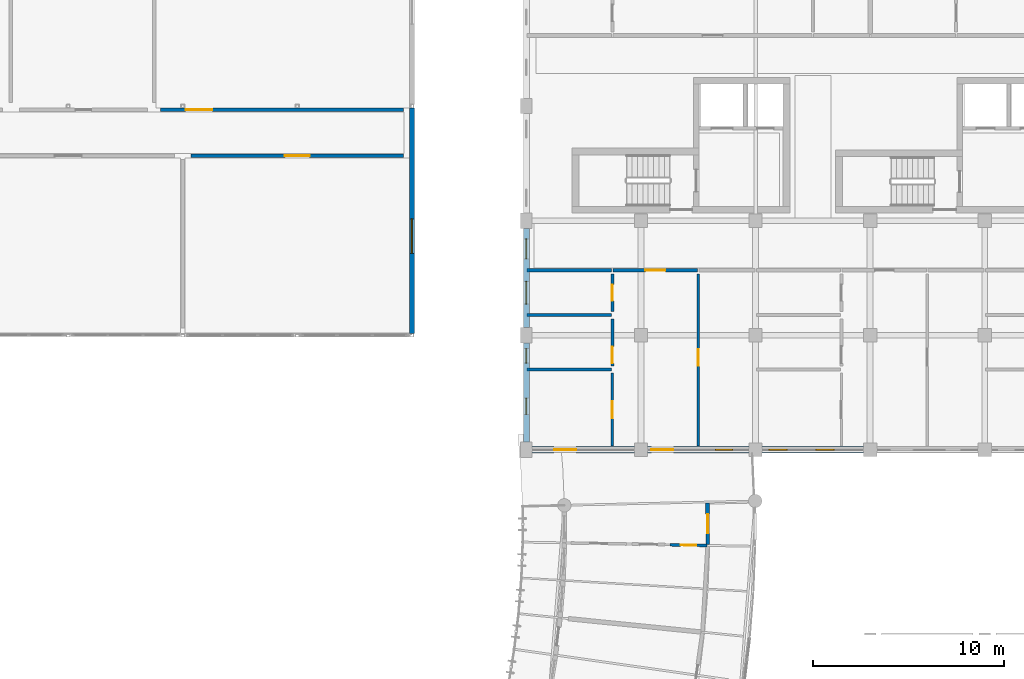
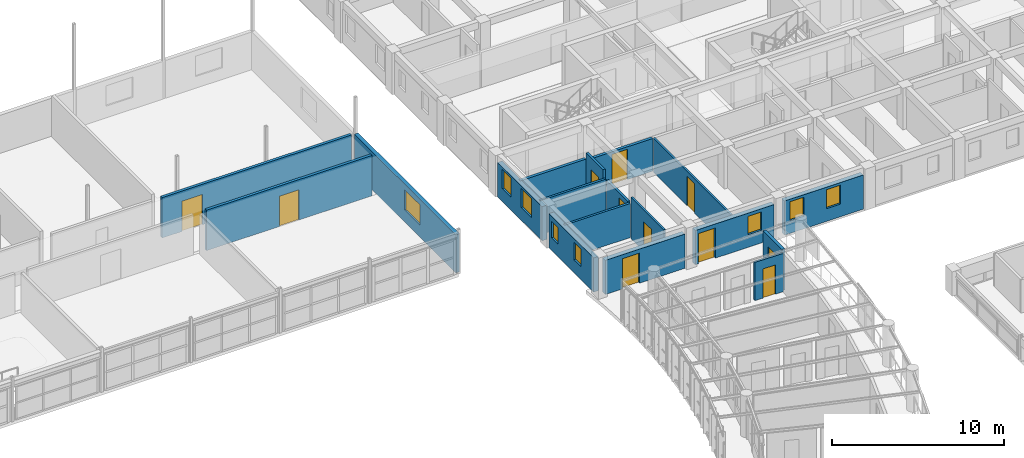
# One storey, part 100 of 137: 18 walls, 11 doors, 8 windows, 19 openings.
"""IFC4 building model written with IfcOpenShell, lengths in metres."""

from ifc_helpers import new_model, si_unit, direction, frame, frame_2d, origin, place, context, subcontext, project, spatial, rectangle, extrude, material, layer, layer_set, type_object, element, fill, save


model = new_model("IFC4")

# Units and contexts
model_context = context("Model", 3, precision=1e-05, world=origin(), true_north=direction((0.0, 1.0)))
body_context = subcontext(model_context, "Body", "Model", "MODEL_VIEW")
ifc_project = project(units=[si_unit("LENGTHUNIT", "METRE"), si_unit("AREAUNIT", "SQUARE_METRE"), si_unit("VOLUMEUNIT", "CUBIC_METRE"), si_unit("PLANEANGLEUNIT", "RADIAN"), si_unit("MASSUNIT", "GRAM", prefix="KILO"), si_unit("POWERUNIT", "WATT"), si_unit("THERMODYNAMICTEMPERATUREUNIT", "KELVIN")], contexts=[model_context])

# Site, building, storey
site_placement = place(None, origin())
site = spatial("IfcSite", under=ifc_project, at=site_placement, CompositionType="ELEMENT")
building_placement = place(site_placement, origin())
building = spatial("IfcBuilding", under=site, at=building_placement, Name="Ruvembo Vaulted Housing Court", CompositionType="ELEMENT")
storey_placement = place(building_placement, frame((0.0, 0.0, 4.5)))
storey = spatial("IfcBuildingStorey", under=building, at=storey_placement, Name="L01", CompositionType="ELEMENT", Elevation=4.5)

# Wall, opening, door
ifc_material_1 = material(Name="Concrete Blockwork 190", Category="masonry")
ifc_layer_1 = layer(ifc_material_1, 0.18994140625, Name="Concrete Blockwork 190")
ifc_layer_set_1 = layer_set([ifc_layer_1], Name="Concrete Blockwork 190")
wall_type_1 = type_object("IfcWallType", Name="WL-CORR-190", PredefinedType="SOLIDWALL", material=ifc_layer_set_1)
wall_1_placement = place(storey_placement, frame((30.43994140625, 93.39990234375, 0.0), z_axis=(0.0, 0.0, 1.0), x_axis=(1.0, 0.0, 0.0)))
wall_1 = element("IfcWall", 1, at=wall_1_placement, inside=storey, type_object=wall_type_1, Name="L01 Parent Cooperative Workshop WL-INT-L01-00164", PredefinedType="SOLIDWALL", context=body_context, shape_type="SweptSolid", body=[
    extrude(rectangle(XDim=11.1201171875, YDim=0.18994140625, at=frame_2d((5.56005859375, 0.0))), origin(), (0.0, 0.0, 1.0), 2.8720703125),
])
opening_1_placement = place(wall_1_placement, frame((4.909912109375, 0.0, 0.0)))
opening_1 = element("IfcOpeningElement", 2, at=opening_1_placement, cuts=wall_1, Name="Opening CD2", PredefinedType="OPENING", context=body_context, shape_type="SweptSolid", body=[
    extrude(rectangle(XDim=1.300048828125, YDim=2.14990234375, at=frame_2d((0.64990234375, 1.074951171875))), frame((0.0, 0.10498046875, 0.0), z_axis=(0.0, -1.0, 0.0), x_axis=(1.0, 0.0, 0.0)), (0.0, 0.0, 1.0), 0.2099609375),
])
ifc_material_2 = material(Name="FSC Hardwood and Engineered Timber", Category="wood")
door_type_1 = type_object("IfcDoorType", Name="DR-CIVIC-1300x2150", OperationType="NOTDEFINED", PredefinedType="DOOR", material=ifc_material_2)
door_1_placement = place(opening_1_placement, origin())
door_1 = element("IfcDoor", 3, at=door_1_placement, inside=storey, type_object=door_type_1, Name="L01 Parent Cooperative Workshop Door DR-INT-L01-00079", OperationType="SINGLE_SWING_LEFT", OverallHeight=2.14990234375, OverallWidth=1.300048828125, PredefinedType="DOOR", context=body_context, shape_type="SweptSolid", body=[
    extrude(rectangle(XDim=1.300048828125, YDim=2.14990234375, at=frame_2d((0.64990234375, 1.074951171875))), frame((0.0, 0.02490234375, 0.0), z_axis=(0.0, -1.0, 0.0), x_axis=(1.0, 0.0, 0.0)), (0.0, 0.0, 1.0), 0.050048828125),
])
fill(opening_1, door_1)

wall_2_placement = place(storey_placement, frame((28.840087890625, 95.800048828125, 0.0), z_axis=(0.0, 0.0, 1.0), x_axis=(1.0, 0.0, 0.0)))
wall_2 = element("IfcWall", 4, at=wall_2_placement, inside=storey, type_object=wall_type_1, Name="L01 Indoor Rainy-Day Play Terrace WL-INT-L01-00169", PredefinedType="SOLIDWALL", context=body_context, shape_type="SweptSolid", body=[
    extrude(rectangle(XDim=12.719970703125, YDim=0.18994140625, at=frame_2d((6.35986328125, 0.0))), origin(), (0.0, 0.0, 1.0), 2.8720703125),
])
opening_2_placement = place(wall_2_placement, frame((1.31494140625, 0.0, 0.0)))
opening_2 = element("IfcOpeningElement", 5, at=opening_2_placement, cuts=wall_2, Name="Opening CD1", PredefinedType="OPENING", context=body_context, shape_type="SweptSolid", body=[
    extrude(rectangle(XDim=1.39990234375, YDim=2.14990234375, at=frame_2d((0.699951171875, 1.074951171875))), frame((0.0, 0.10498046875, 0.0), z_axis=(0.0, -1.0, 0.0), x_axis=(1.0, 0.0, 0.0)), (0.0, 0.0, 1.0), 0.2099609375),
])
door_type_2 = type_object("IfcDoorType", Name="DR-CIVIC-1400x2150", OperationType="NOTDEFINED", PredefinedType="DOOR", material=ifc_material_2)
door_2_placement = place(opening_2_placement, origin())
door_2 = element("IfcDoor", 6, at=door_2_placement, inside=storey, type_object=door_type_2, Name="L01 Indoor Rainy-Day Play Terrace Door DR-INT-L01-00082", OperationType="SINGLE_SWING_RIGHT", OverallHeight=2.14990234375, OverallWidth=1.39990234375, PredefinedType="DOOR", context=body_context, shape_type="SweptSolid", body=[
    extrude(rectangle(XDim=1.39990234375, YDim=2.14990234375, at=frame_2d((0.699951171875, 1.074951171875))), frame((0.0, 0.02490234375, 0.0), z_axis=(0.0, -1.0, 0.0), x_axis=(1.0, 0.0, 0.0)), (0.0, 0.0, 1.0), 0.050048828125),
])
fill(opening_2, door_2)

# Wall
wall_3_placement = place(storey_placement, frame((48.0400390625, 87.39990234375, 0.0), z_axis=(0.0, 0.0, 1.0), x_axis=(1.0, 0.0, 0.0)))
element("IfcWall", 7, at=wall_3_placement, inside=storey, type_object=wall_type_1, Name="L01 Flat B-L01-S1 Corridor Wall WL-INT-L01-00227", PredefinedType="SOLIDWALL", context=body_context, shape_type="SweptSolid", body=[
    extrude(rectangle(XDim=4.419921875, YDim=0.18994140625, at=frame_2d((2.2099609375, 0.0))), origin(), (0.0, 0.0, 1.0), 2.427001953125),
])

# Wall, opening, door
wall_4_placement = place(storey_placement, frame((52.5400390625, 87.39990234375, 0.0), z_axis=(0.0, 0.0, 1.0), x_axis=(1.0, 0.0, 0.0)))
wall_4 = element("IfcWall", 8, at=wall_4_placement, inside=storey, type_object=wall_type_1, Name="L01 Flat B-L01-S1 Entrance WL-INT-L01-00228", PredefinedType="SOLIDWALL", context=body_context, shape_type="SweptSolid", body=[
    extrude(rectangle(XDim=4.419921875, YDim=0.18994140625, at=frame_2d((2.2099609375, 0.0))), origin(), (0.0, 0.0, 1.0), 2.326904296875),
])
opening_3_placement = place(wall_4_placement, frame((1.68505859375, 0.0, 0.0)))
opening_3 = element("IfcOpeningElement", 9, at=opening_3_placement, cuts=wall_4, Name="Opening FD3", PredefinedType="OPENING", context=body_context, shape_type="SweptSolid", body=[
    extrude(rectangle(XDim=1.050048828125, YDim=2.14990234375, at=frame_2d((0.52490234375, 1.074951171875))), frame((0.0, 0.10498046875, 0.0), z_axis=(0.0, -1.0, 0.0), x_axis=(1.0, 0.0, 0.0)), (0.0, 0.0, 1.0), 0.2099609375),
])
door_type_3 = type_object("IfcDoorType", Name="DR-FLAT-1050x2150", OperationType="NOTDEFINED", PredefinedType="DOOR", material=ifc_material_2)
door_3_placement = place(opening_3_placement, origin())
door_3 = element("IfcDoor", 10, at=door_3_placement, inside=storey, type_object=door_type_3, Name="L01 Flat B-L01-S1 Entrance Door DR-INT-L01-00113", OperationType="SINGLE_SWING_LEFT", OverallHeight=2.14990234375, OverallWidth=1.050048828125, PredefinedType="DOOR", context=body_context, shape_type="SweptSolid", body=[
    extrude(rectangle(XDim=1.050048828125, YDim=2.14990234375, at=frame_2d((0.52490234375, 1.074951171875))), frame((0.0, 0.02490234375, 0.0), z_axis=(0.0, -1.0, 0.0), x_axis=(1.0, 0.0, 0.0)), (0.0, 0.0, 1.0), 0.050048828125),
])
fill(opening_3, door_3)

wall_5_placement = place(storey_placement, frame((57.49072265625, 73.029296875, 0.0), z_axis=(0.0, 0.0, 1.0), x_axis=(-0.0023367022, 0.999997269908, 0.0)))
wall_5 = element("IfcWall", 11, at=wall_5_placement, inside=storey, type_object=wall_type_1, Name="L01 Suite SC1-L01-U5 Entrance WL-INT-L01-00395", PredefinedType="SOLIDWALL", context=body_context, shape_type="SweptSolid", body=[
    extrude(rectangle(XDim=2.194091796875, YDim=0.18994140625, at=frame_2d((1.09716796875, 0.0))), origin(), (0.0, 0.0, 1.0), 2.945068359375),
])
opening_4_placement = place(wall_5_placement, frame((0.59716796875, 0.0, 0.0)))
opening_4 = element("IfcOpeningElement", 12, at=opening_4_placement, cuts=wall_5, Name="Opening FD1", PredefinedType="OPENING", context=body_context, shape_type="SweptSolid", body=[
    extrude(rectangle(XDim=1.0, YDim=2.14990234375, at=frame_2d((0.5, 1.074951171875))), frame((0.0, 0.10498046875, 0.0), z_axis=(0.0, -1.0, 0.0), x_axis=(1.0, 0.0, 0.0)), (0.0, 0.0, 1.0), 0.2099609375),
])
door_type_4 = type_object("IfcDoorType", Name="DR-FLAT-1000x2150", OperationType="NOTDEFINED", PredefinedType="DOOR", material=ifc_material_2)
door_4_placement = place(opening_4_placement, origin())
door_4 = element("IfcDoor", 13, at=door_4_placement, inside=storey, type_object=door_type_4, Name="L01 Suite SC1-L01-U5 Entrance Door DR-INT-L01-00204", OperationType="SINGLE_SWING_RIGHT", OverallHeight=2.14990234375, OverallWidth=1.0, PredefinedType="DOOR", context=body_context, shape_type="SweptSolid", body=[
    extrude(rectangle(XDim=1.0, YDim=2.14990234375, at=frame_2d((0.5, 1.074951171875))), frame((0.0, 0.02490234375, 0.0), z_axis=(0.0, -1.0, 0.0), x_axis=(1.0, 0.0, 0.0)), (0.0, 0.0, 1.0), 0.050048828125),
])
fill(opening_4, door_4)

# Wall, opening, window
ifc_material_3 = material(Name="Rendered Masonry 260", Category="masonry")
ifc_layer_2 = layer(ifc_material_3, 0.260009765625, Name="Rendered Masonry 260")
ifc_layer_set_2 = layer_set([ifc_layer_2], Name="Rendered Masonry 260")
wall_type_2 = type_object("IfcWallType", Name="WL-EXT-260", PredefinedType="STANDARD", material=ifc_layer_set_2)
wall_6_placement = place(storey_placement, frame((42.0, 84.090087890625, 0.0), z_axis=(0.0, 0.0, 1.0), x_axis=(0.0, 1.0, 0.0)))
wall_6 = element("IfcWall", 14, at=wall_6_placement, inside=storey, type_object=wall_type_2, Name="Nursery E Wall L01 #1", PredefinedType="STANDARD", context=body_context, shape_type="SweptSolid", body=[
    extrude(rectangle(XDim=11.81982421875, YDim=0.260009765625, at=frame_2d((5.909912109375, 0.0))), origin(), (0.0, 0.0, 1.0), 2.699951171875),
])
opening_5_placement = place(wall_6_placement, frame((4.199951171875, 0.0, 0.85009765625)))
opening_5 = element("IfcOpeningElement", 15, at=opening_5_placement, cuts=wall_6, Name="Opening W22", PredefinedType="OPENING", context=body_context, shape_type="SweptSolid", body=[
    extrude(rectangle(XDim=1.800048828125, YDim=1.449951171875, at=frame_2d((0.89990234375, 0.72509765625))), frame((0.0, 0.139892578125, 0.0), z_axis=(0.0, -1.0, 0.0), x_axis=(1.0, 0.0, 0.0)), (0.0, 0.0, 1.0), 0.280029296875),
])
ifc_material_4 = material(Name="Double Solar-Control Glazing in Aluminium Frame", Category="aluminium")
window_type_1 = type_object("IfcWindowType", Name="WIN-1800x1450", PartitioningType="SINGLE_PANEL", PredefinedType="WINDOW", material=ifc_material_4)
window_1_placement = place(opening_5_placement, origin())
window_1 = element("IfcWindow", 16, at=window_1_placement, inside=storey, type_object=window_type_1, Name="Nursery E Window L01 #1", OverallHeight=1.449951171875, OverallWidth=1.800048828125, PartitioningType="SINGLE_PANEL", PredefinedType="WINDOW", context=body_context, shape_type="SweptSolid", body=[
    extrude(rectangle(XDim=1.800048828125, YDim=1.449951171875, at=frame_2d((0.89990234375, 0.72509765625))), frame((0.0, 0.030029296875, 0.0), z_axis=(0.0, -1.0, 0.0), x_axis=(1.0, 0.0, 0.0)), (0.0, 0.0, 1.0), 0.06005859375),
])
fill(opening_5, window_1)

# Wall, opening, door
ifc_material_5 = material(Name="Rendered Masonry 320", Category="masonry")
ifc_layer_3 = layer(ifc_material_5, 0.320068359375, Name="Rendered Masonry 320")
ifc_layer_set_3 = layer_set([ifc_layer_3], Name="Rendered Masonry 320")
wall_type_3 = type_object("IfcWallType", Name="WL-EXT-320", PredefinedType="STANDARD", material=ifc_layer_set_3)
wall_7_placement = place(storey_placement, frame((48.300048828125, 78.0, 0.0), z_axis=(0.0, 0.0, 1.0), x_axis=(1.0, 0.0, 0.0)))
wall_7 = element("IfcWall", 17, at=wall_7_placement, inside=storey, type_object=wall_type_3, Name="Block B L01 Exterior Wall COURTYARD #1", PredefinedType="STANDARD", context=body_context, shape_type="SweptSolid", body=[
    extrude(rectangle(XDim=5.349853515625, YDim=0.320068359375, at=frame_2d((2.6748046875, 0.0))), origin(), (0.0, 0.0, 1.0), 2.427001953125),
])
opening_6_placement = place(wall_7_placement, frame((1.149169921875, 0.0, 0.0)))
opening_6 = element("IfcOpeningElement", 18, at=opening_6_placement, cuts=wall_7, Name="Opening GD1", PredefinedType="OPENING", context=body_context, shape_type="SweptSolid", body=[
    extrude(rectangle(XDim=1.14990234375, YDim=2.14990234375, at=frame_2d((0.574951171875, 1.074951171875))), frame((0.0, 0.169921875, 0.0), z_axis=(0.0, -1.0, 0.0), x_axis=(1.0, 0.0, 0.0)), (0.0, 0.0, 1.0), 0.340087890625),
])
ifc_material_6 = material(Name="Thermally Broken Glazed Aluminium", Category="aluminium")
door_type_5 = type_object("IfcDoorType", Name="DR-GAL-1150x2150", OperationType="NOTDEFINED", PredefinedType="DOOR", material=ifc_material_6)
door_5_placement = place(opening_6_placement, frame((1.14990234375, 0.0, 0.0), z_axis=(0.0, 0.0, 1.0), x_axis=(-1.0, 0.0, 0.0)))
door_5 = element("IfcDoor", 19, at=door_5_placement, inside=storey, type_object=door_type_5, Name="Block B L01 Terrace or Gallery Door DR-TER-B-L01-027", OperationType="SINGLE_SWING_RIGHT", OverallHeight=2.14990234375, OverallWidth=1.14990234375, PredefinedType="DOOR", context=body_context, shape_type="SweptSolid", body=[
    extrude(rectangle(XDim=1.14990234375, YDim=2.14990234375, at=frame_2d((0.574951171875, 1.074951171875))), frame((0.0, 0.02490234375, 0.0), z_axis=(0.0, -1.0, 0.0), x_axis=(1.0, 0.0, 0.0)), (0.0, 0.0, 1.0), 0.050048828125),
])
fill(opening_6, door_5)

# Wall, openings, door, window
wall_8_placement = place(storey_placement, frame((54.35009765625, 78.0, 0.0), z_axis=(0.0, 0.0, 1.0), x_axis=(1.0, 0.0, 0.0)))
wall_8 = element("IfcWall", 20, at=wall_8_placement, inside=storey, type_object=wall_type_3, Name="Block B L01 Exterior Wall COURTYARD #2", PredefinedType="STANDARD", context=body_context, shape_type="SweptSolid", body=[
    extrude(rectangle(XDim=5.2998046875, YDim=0.320068359375, at=frame_2d((2.64990234375, 0.0))), origin(), (0.0, 0.0, 1.0), 2.427001953125),
])
opening_7_placement = place(wall_8_placement, frame((0.199951171875, 0.0, 0.0)))
opening_7 = element("IfcOpeningElement", 21, at=opening_7_placement, cuts=wall_8, Name="Opening GD1", PredefinedType="OPENING", context=body_context, shape_type="SweptSolid", body=[
    extrude(rectangle(XDim=1.14990234375, YDim=2.14990234375, at=frame_2d((0.574951171875, 1.074951171875))), frame((0.0, 0.169921875, 0.0), z_axis=(0.0, -1.0, 0.0), x_axis=(1.0, 0.0, 0.0)), (0.0, 0.0, 1.0), 0.340087890625),
])
opening_8_placement = place(wall_8_placement, frame((3.544921875, 0.0, 0.89990234375)))
opening_8 = element("IfcOpeningElement", 22, at=opening_8_placement, cuts=wall_8, Name="Opening W04", PredefinedType="OPENING", context=body_context, shape_type="SweptSolid", body=[
    extrude(rectangle(XDim=0.89990234375, YDim=1.300048828125, at=frame_2d((0.449951171875, 0.64990234375))), frame((0.0, 0.169921875, 0.0), z_axis=(0.0, -1.0, 0.0), x_axis=(1.0, 0.0, 0.0)), (0.0, 0.0, 1.0), 0.340087890625),
])
door_6_placement = place(opening_7_placement, frame((1.14990234375, 0.0, 0.0), z_axis=(0.0, 0.0, 1.0), x_axis=(-1.0, 0.0, 0.0)))
door_6 = element("IfcDoor", 23, at=door_6_placement, inside=storey, type_object=door_type_5, Name="Block B L01 Terrace or Gallery Door DR-TER-B-L01-028", OperationType="SINGLE_SWING_LEFT", OverallHeight=2.14990234375, OverallWidth=1.14990234375, PredefinedType="DOOR", context=body_context, shape_type="SweptSolid", body=[
    extrude(rectangle(XDim=1.14990234375, YDim=2.14990234375, at=frame_2d((0.574951171875, 1.074951171875))), frame((0.0, 0.02490234375, 0.0), z_axis=(0.0, -1.0, 0.0), x_axis=(1.0, 0.0, 0.0)), (0.0, 0.0, 1.0), 0.050048828125),
])
fill(opening_7, door_6)
window_type_2 = type_object("IfcWindowType", Name="WIN-0900x1300", PartitioningType="SINGLE_PANEL", PredefinedType="WINDOW", material=ifc_material_4)
window_2_placement = place(opening_8_placement, origin())
window_2 = element("IfcWindow", 24, at=window_2_placement, inside=storey, type_object=window_type_2, Name="Block B L01 Window #644", OverallHeight=1.300048828125, OverallWidth=0.89990234375, PartitioningType="SINGLE_PANEL", PredefinedType="WINDOW", context=body_context, shape_type="SweptSolid", body=[
    extrude(rectangle(XDim=0.89990234375, YDim=1.300048828125, at=frame_2d((0.449951171875, 0.64990234375))), frame((0.0, 0.030029296875, 0.0), z_axis=(0.0, -1.0, 0.0), x_axis=(1.0, 0.0, 0.0)), (0.0, 0.0, 1.0), 0.06005859375),
])
fill(opening_8, window_2)

# Wall, openings, windows
wall_9_placement = place(storey_placement, frame((60.35009765625, 78.0, 0.0), z_axis=(0.0, 0.0, 1.0), x_axis=(1.0, 0.0, 0.0)))
wall_9 = element("IfcWall", 25, at=wall_9_placement, inside=storey, type_object=wall_type_3, Name="Block B L01 Exterior Wall COURTYARD #3", PredefinedType="STANDARD", context=body_context, shape_type="SweptSolid", body=[
    extrude(rectangle(XDim=5.2998046875, YDim=0.320068359375, at=frame_2d((2.64990234375, 0.0))), origin(), (0.0, 0.0, 1.0), 2.427001953125),
])
opening_9_placement = place(wall_9_placement, frame((0.35009765625, 0.0, 0.89990234375)))
opening_9 = element("IfcOpeningElement", 26, at=opening_9_placement, cuts=wall_9, Name="Opening W07", PredefinedType="OPENING", context=body_context, shape_type="SweptSolid", body=[
    extrude(rectangle(XDim=0.949951171875, YDim=1.35009765625, at=frame_2d((0.47509765625, 0.675048828125))), frame((0.0, 0.169921875, 0.0), z_axis=(0.0, -1.0, 0.0), x_axis=(1.0, 0.0, 0.0)), (0.0, 0.0, 1.0), 0.340087890625),
])
opening_10_placement = place(wall_9_placement, frame((2.81005859375, 0.0, 0.89990234375)))
opening_10 = element("IfcOpeningElement", 27, at=opening_10_placement, cuts=wall_9, Name="Opening W07", PredefinedType="OPENING", context=body_context, shape_type="SweptSolid", body=[
    extrude(rectangle(XDim=0.949951171875, YDim=1.35009765625, at=frame_2d((0.47509765625, 0.675048828125))), frame((0.0, 0.169921875, 0.0), z_axis=(0.0, -1.0, 0.0), x_axis=(1.0, 0.0, 0.0)), (0.0, 0.0, 1.0), 0.340087890625),
])
window_type_3 = type_object("IfcWindowType", Name="WIN-0950x1350", PartitioningType="SINGLE_PANEL", PredefinedType="WINDOW", material=ifc_material_4)
window_3_placement = place(opening_9_placement, origin())
window_3 = element("IfcWindow", 28, at=window_3_placement, inside=storey, type_object=window_type_3, Name="Block B L01 Window #645", OverallHeight=1.35009765625, OverallWidth=0.949951171875, PartitioningType="SINGLE_PANEL", PredefinedType="WINDOW", context=body_context, shape_type="SweptSolid", body=[
    extrude(rectangle(XDim=0.949951171875, YDim=1.35009765625, at=frame_2d((0.47509765625, 0.675048828125))), frame((0.0, 0.030029296875, 0.0), z_axis=(0.0, -1.0, 0.0), x_axis=(1.0, 0.0, 0.0)), (0.0, 0.0, 1.0), 0.06005859375),
])
fill(opening_9, window_3)
window_4_placement = place(opening_10_placement, origin())
window_4 = element("IfcWindow", 29, at=window_4_placement, inside=storey, type_object=window_type_3, Name="Block B L01 Window #646", OverallHeight=1.35009765625, OverallWidth=0.949951171875, PartitioningType="SINGLE_PANEL", PredefinedType="WINDOW", context=body_context, shape_type="SweptSolid", body=[
    extrude(rectangle(XDim=0.949951171875, YDim=1.35009765625, at=frame_2d((0.47509765625, 0.675048828125))), frame((0.0, 0.030029296875, 0.0), z_axis=(0.0, -1.0, 0.0), x_axis=(1.0, 0.0, 0.0)), (0.0, 0.0, 1.0), 0.06005859375),
])
fill(opening_10, window_4)

wall_10_placement = place(storey_placement, frame((48.0, 89.60009765625, 0.0), z_axis=(0.0, 0.0, 1.0), x_axis=(0.0, -1.0, 0.0)))
wall_10 = element("IfcWall", 30, at=wall_10_placement, inside=storey, type_object=wall_type_3, Name="Block B L01 Exterior Wall WEST #5", PredefinedType="STANDARD", context=body_context, shape_type="SweptSolid", body=[
    extrude(rectangle(XDim=5.2001953125, YDim=0.320068359375, at=frame_2d((2.60009765625, 0.0))), origin(), (0.0, 0.0, 1.0), 2.427001953125),
])
opening_11_placement = place(wall_10_placement, frame((0.554931640625, 0.0, 0.89990234375)))
opening_11 = element("IfcOpeningElement", 31, at=opening_11_placement, cuts=wall_10, Name="Opening W09", PredefinedType="OPENING", context=body_context, shape_type="SweptSolid", body=[
    extrude(rectangle(XDim=1.050048828125, YDim=1.35009765625, at=frame_2d((0.52490234375, 0.675048828125))), frame((0.0, 0.169921875, 0.0), z_axis=(0.0, -1.0, 0.0), x_axis=(1.0, 0.0, 0.0)), (0.0, 0.0, 1.0), 0.340087890625),
])
opening_12_placement = place(wall_10_placement, frame((2.77490234375, 0.0, 0.89990234375)))
opening_12 = element("IfcOpeningElement", 32, at=opening_12_placement, cuts=wall_10, Name="Opening W12", PredefinedType="OPENING", context=body_context, shape_type="SweptSolid", body=[
    extrude(rectangle(XDim=1.199951171875, YDim=1.35009765625, at=frame_2d((0.60009765625, 0.675048828125))), frame((0.0, 0.169921875, 0.0), z_axis=(0.0, -1.0, 0.0), x_axis=(1.0, 0.0, 0.0)), (0.0, 0.0, 1.0), 0.340087890625),
])
window_type_4 = type_object("IfcWindowType", Name="WIN-1050x1350", PartitioningType="SINGLE_PANEL", PredefinedType="WINDOW", material=ifc_material_4)
window_5_placement = place(opening_11_placement, origin())
window_5 = element("IfcWindow", 33, at=window_5_placement, inside=storey, type_object=window_type_4, Name="Block B L01 Window #682", OverallHeight=1.35009765625, OverallWidth=1.050048828125, PartitioningType="SINGLE_PANEL", PredefinedType="WINDOW", context=body_context, shape_type="SweptSolid", body=[
    extrude(rectangle(XDim=1.050048828125, YDim=1.35009765625, at=frame_2d((0.52490234375, 0.675048828125))), frame((0.0, 0.030029296875, 0.0), z_axis=(0.0, -1.0, 0.0), x_axis=(1.0, 0.0, 0.0)), (0.0, 0.0, 1.0), 0.06005859375),
])
fill(opening_11, window_5)
window_type_5 = type_object("IfcWindowType", Name="WIN-1200x1350", PartitioningType="SINGLE_PANEL", PredefinedType="WINDOW", material=ifc_material_4)
window_6_placement = place(opening_12_placement, origin())
window_6 = element("IfcWindow", 34, at=window_6_placement, inside=storey, type_object=window_type_5, Name="Block B L01 Window #683", OverallHeight=1.35009765625, OverallWidth=1.199951171875, PartitioningType="SINGLE_PANEL", PredefinedType="WINDOW", context=body_context, shape_type="SweptSolid", body=[
    extrude(rectangle(XDim=1.199951171875, YDim=1.35009765625, at=frame_2d((0.60009765625, 0.675048828125))), frame((0.0, 0.030029296875, 0.0), z_axis=(0.0, -1.0, 0.0), x_axis=(1.0, 0.0, 0.0)), (0.0, 0.0, 1.0), 0.06005859375),
])
fill(opening_12, window_6)

wall_11_placement = place(storey_placement, frame((48.0, 83.60009765625, 0.0), z_axis=(0.0, 0.0, 1.0), x_axis=(0.0, -1.0, 0.0)))
wall_11 = element("IfcWall", 35, at=wall_11_placement, inside=storey, type_object=wall_type_3, Name="Block B L01 Exterior Wall WEST #6", PredefinedType="STANDARD", context=body_context, shape_type="SweptSolid", body=[
    extrude(rectangle(XDim=5.2001953125, YDim=0.320068359375, at=frame_2d((2.60009765625, 0.0))), origin(), (0.0, 0.0, 1.0), 2.427001953125),
])
opening_13_placement = place(wall_11_placement, frame((0.304931640625, 0.0, 0.89990234375)))
opening_13 = element("IfcOpeningElement", 36, at=opening_13_placement, cuts=wall_11, Name="Opening W01", PredefinedType="OPENING", context=body_context, shape_type="SweptSolid", body=[
    extrude(rectangle(XDim=0.75, YDim=1.14990234375, at=frame_2d((0.375, 0.574951171875))), frame((0.0, 0.169921875, 0.0), z_axis=(0.0, -1.0, 0.0), x_axis=(1.0, 0.0, 0.0)), (0.0, 0.0, 1.0), 0.340087890625),
])
opening_14_placement = place(wall_11_placement, frame((2.89501953125, 0.0, 0.89990234375)))
opening_14 = element("IfcOpeningElement", 37, at=opening_14_placement, cuts=wall_11, Name="Opening W03", PredefinedType="OPENING", context=body_context, shape_type="SweptSolid", body=[
    extrude(rectangle(XDim=0.85009765625, YDim=1.25, at=frame_2d((0.425048828125, 0.625))), frame((0.0, 0.169921875, 0.0), z_axis=(0.0, -1.0, 0.0), x_axis=(1.0, 0.0, 0.0)), (0.0, 0.0, 1.0), 0.340087890625),
])
window_type_6 = type_object("IfcWindowType", Name="WIN-0750x1150", PartitioningType="SINGLE_PANEL", PredefinedType="WINDOW", material=ifc_material_4)
window_7_placement = place(opening_13_placement, origin())
window_7 = element("IfcWindow", 38, at=window_7_placement, inside=storey, type_object=window_type_6, Name="Block B L01 Window #684", OverallHeight=1.14990234375, OverallWidth=0.75, PartitioningType="SINGLE_PANEL", PredefinedType="WINDOW", context=body_context, shape_type="SweptSolid", body=[
    extrude(rectangle(XDim=0.75, YDim=1.14990234375, at=frame_2d((0.375, 0.574951171875))), frame((0.0, 0.030029296875, 0.0), z_axis=(0.0, -1.0, 0.0), x_axis=(1.0, 0.0, 0.0)), (0.0, 0.0, 1.0), 0.06005859375),
])
fill(opening_13, window_7)
window_type_7 = type_object("IfcWindowType", Name="WIN-0850x1250", PartitioningType="SINGLE_PANEL", PredefinedType="WINDOW", material=ifc_material_4)
window_8_placement = place(opening_14_placement, origin())
window_8 = element("IfcWindow", 39, at=window_8_placement, inside=storey, type_object=window_type_7, Name="Block B L01 Window #685", OverallHeight=1.25, OverallWidth=0.85009765625, PartitioningType="SINGLE_PANEL", PredefinedType="WINDOW", context=body_context, shape_type="SweptSolid", body=[
    extrude(rectangle(XDim=0.85009765625, YDim=1.25, at=frame_2d((0.425048828125, 0.625))), frame((0.0, 0.030029296875, 0.0), z_axis=(0.0, -1.0, 0.0), x_axis=(1.0, 0.0, 0.0)), (0.0, 0.0, 1.0), 0.06005859375),
])
fill(opening_14, window_8)

# Wall, opening, door
ifc_material_7 = material(Name="Plasterboard Stud Partition 125", Category="gypsum")
ifc_layer_4 = layer(ifc_material_7, 0.125, Name="Plasterboard Stud Partition 125")
ifc_layer_set_4 = layer_set([ifc_layer_4], Name="Plasterboard Stud Partition 125")
wall_type_4 = type_object("IfcWallType", Name="WL-PART-125", PredefinedType="PARTITIONING", material=ifc_layer_set_4)
wall_12_placement = place(storey_placement, frame((52.5, 78.18994140625, 0.0), z_axis=(0.0, 0.0, 1.0), x_axis=(0.0, 1.0, 0.0)))
wall_12 = element("IfcWall", 40, at=wall_12_placement, inside=storey, type_object=wall_type_4, Name="L01 Flat B-L01-S1 Bedroom 1 WL-INT-L01-00229", PredefinedType="PARTITIONING", context=body_context, shape_type="SweptSolid", body=[
    extrude(rectangle(XDim=3.820068359375, YDim=0.125, at=frame_2d((1.91015625, 0.0))), origin(), (0.0, 0.0, 1.0), 2.945068359375),
])
opening_15_placement = place(wall_12_placement, frame((1.4599609375, 0.0, 0.0)))
opening_15 = element("IfcOpeningElement", 41, at=opening_15_placement, cuts=wall_12, Name="Opening ID1", PredefinedType="OPENING", context=body_context, shape_type="SweptSolid", body=[
    extrude(rectangle(XDim=0.89990234375, YDim=2.10009765625, at=frame_2d((0.449951171875, 1.050048828125))), frame((0.0, 0.072509765625, 0.0), z_axis=(0.0, -1.0, 0.0), x_axis=(1.0, 0.0, 0.0)), (0.0, 0.0, 1.0), 0.14501953125),
])
door_type_6 = type_object("IfcDoorType", Name="DR-ROOM-0900x2100", OperationType="NOTDEFINED", PredefinedType="DOOR", material=ifc_material_2)
door_7_placement = place(opening_15_placement, origin())
door_7 = element("IfcDoor", 42, at=door_7_placement, inside=storey, type_object=door_type_6, Name="L01 Flat B-L01-S1 Bedroom 1 Door DR-INT-L01-00114", OperationType="SINGLE_SWING_RIGHT", OverallHeight=2.10009765625, OverallWidth=0.89990234375, PredefinedType="DOOR", context=body_context, shape_type="SweptSolid", body=[
    extrude(rectangle(XDim=0.89990234375, YDim=2.10009765625, at=frame_2d((0.449951171875, 1.050048828125))), frame((0.0, 0.02490234375, 0.0), z_axis=(0.0, -1.0, 0.0), x_axis=(1.0, 0.0, 0.0)), (0.0, 0.0, 1.0), 0.050048828125),
])
fill(opening_15, door_7)

wall_13_placement = place(storey_placement, frame((57.0, 78.18994140625, 0.0), z_axis=(0.0, 0.0, 1.0), x_axis=(0.0, 1.0, 0.0)))
wall_13 = element("IfcWall", 43, at=wall_13_placement, inside=storey, type_object=wall_type_4, Name="L01 Flat B-L01-S1 Bedroom 2 WL-INT-L01-00235", PredefinedType="PARTITIONING", context=body_context, shape_type="SweptSolid", body=[
    extrude(rectangle(XDim=9.02001953125, YDim=0.125, at=frame_2d((4.510009765625, 0.0))), origin(), (0.0, 0.0, 1.0), 2.427001953125),
])
opening_16_placement = place(wall_13_placement, frame((4.199951171875, 0.0, 0.0)))
opening_16 = element("IfcOpeningElement", 44, at=opening_16_placement, cuts=wall_13, Name="Opening ID3", PredefinedType="OPENING", context=body_context, shape_type="SweptSolid", body=[
    extrude(rectangle(XDim=0.8798828125, YDim=2.10009765625, at=frame_2d((0.43994140625, 1.050048828125))), frame((0.0, 0.072509765625, 0.0), z_axis=(0.0, -1.0, 0.0), x_axis=(1.0, 0.0, 0.0)), (0.0, 0.0, 1.0), 0.14501953125),
])
door_type_7 = type_object("IfcDoorType", Name="DR-ROOM-0880x2100", OperationType="NOTDEFINED", PredefinedType="DOOR", material=ifc_material_2)
door_8_placement = place(opening_16_placement, origin())
door_8 = element("IfcDoor", 45, at=door_8_placement, inside=storey, type_object=door_type_7, Name="L01 Flat B-L01-S1 Bedroom 2 Door DR-INT-L01-00117", OperationType="SINGLE_SWING_LEFT", OverallHeight=2.10009765625, OverallWidth=0.8798828125, PredefinedType="DOOR", context=body_context, shape_type="SweptSolid", body=[
    extrude(rectangle(XDim=0.8798828125, YDim=2.10009765625, at=frame_2d((0.43994140625, 1.050048828125))), frame((0.0, 0.02490234375, 0.0), z_axis=(0.0, -1.0, 0.0), x_axis=(1.0, 0.0, 0.0)), (0.0, 0.0, 1.0), 0.050048828125),
])
fill(opening_16, door_8)

ifc_material_8 = material(Name="Moisture-Resistant Wet Partition 150", Category="gypsum")
ifc_layer_5 = layer(ifc_material_8, 0.14990234375, Name="Moisture-Resistant Wet Partition 150")
ifc_layer_set_5 = layer_set([ifc_layer_5], Name="Moisture-Resistant Wet Partition 150")
wall_type_5 = type_object("IfcWallType", Name="WL-PART-150", PredefinedType="PARTITIONING", material=ifc_layer_set_5)
wall_14_placement = place(storey_placement, frame((52.5, 85.239990234375, 0.0), z_axis=(0.0, 0.0, 1.0), x_axis=(0.0, 1.0, 0.0)))
wall_14 = element("IfcWall", 46, at=wall_14_placement, inside=storey, type_object=wall_type_5, Name="L01 Flat B-L01-S1 Bathroom WL-INT-L01-00231", PredefinedType="PARTITIONING", context=body_context, shape_type="SweptSolid", body=[
    extrude(rectangle(XDim=1.969970703125, YDim=0.14990234375, at=frame_2d((0.98486328125, 0.0))), origin(), (0.0, 0.0, 1.0), 2.945068359375),
])
opening_17_placement = place(wall_14_placement, frame((0.56005859375, 0.0, 0.0)))
opening_17 = element("IfcOpeningElement", 47, at=opening_17_placement, cuts=wall_14, Name="Opening ID2", PredefinedType="OPENING", context=body_context, shape_type="SweptSolid", body=[
    extrude(rectangle(XDim=0.85009765625, YDim=2.10009765625, at=frame_2d((0.425048828125, 1.050048828125))), frame((0.0, 0.0849609375, 0.0), z_axis=(0.0, -1.0, 0.0), x_axis=(1.0, 0.0, 0.0)), (0.0, 0.0, 1.0), 0.169921875),
])
door_type_8 = type_object("IfcDoorType", Name="DR-WET-0850x2100", OperationType="NOTDEFINED", PredefinedType="DOOR", material=ifc_material_2)
door_9_placement = place(opening_17_placement, origin())
door_9 = element("IfcDoor", 48, at=door_9_placement, inside=storey, type_object=door_type_8, Name="L01 Flat B-L01-S1 Bathroom Door DR-INT-L01-00116", OperationType="SINGLE_SWING_RIGHT", OverallHeight=2.10009765625, OverallWidth=0.85009765625, PredefinedType="DOOR", context=body_context, shape_type="SweptSolid", body=[
    extrude(rectangle(XDim=0.85009765625, YDim=2.10009765625, at=frame_2d((0.425048828125, 1.050048828125))), frame((0.0, 0.02490234375, 0.0), z_axis=(0.0, -1.0, 0.0), x_axis=(1.0, 0.0, 0.0)), (0.0, 0.0, 1.0), 0.050048828125),
])
fill(opening_17, door_9)

# Walls
for number, where, z_axis, x_axis, name in (
    (49, (48.0400390625, 82.199951171875, 0.0), (0.0, 0.0, 1.0), (1.0, 0.0, 0.0), "L01 Flat B-L01-S1 Wet Wall 1 WL-INT-L01-00232"),
    (50, (48.0400390625, 85.050048828125, 0.0), (0.0, 0.0, 1.0), (1.0, 0.0, 0.0), "L01 Flat B-L01-S1 Wet Wall 2 WL-INT-L01-00233"),
):
    element("IfcWall", number, at=place(storey_placement, frame(where, z_axis=z_axis, x_axis=x_axis)), inside=storey, type_object=wall_type_5, Name=name, PredefinedType="PARTITIONING", context=body_context, shape_type="SweptSolid", body=[
        extrude(rectangle(XDim=4.419921875, YDim=0.14990234375, at=frame_2d((2.2099609375, 0.0))), origin(), (0.0, 0.0, 1.0), 2.427001953125),
    ])

# Wall, opening, door
wall_15_placement = place(storey_placement, frame((55.531005859375, 73.02490234375, 0.0), z_axis=(0.0, 0.0, 1.0), x_axis=(0.99983466766, -0.018183436026, 0.0)))
wall_15 = element("IfcWall", 51, at=wall_15_placement, inside=storey, type_object=wall_type_5, Name="L01 Suite SC1-L01-U5 Bathroom WL-INT-L01-00398", PredefinedType="PARTITIONING", context=body_context, shape_type="SweptSolid", body=[
    extrude(rectangle(XDim=1.919921875, YDim=0.14990234375, at=frame_2d((0.9599609375, 0.0))), origin(), (0.0, 0.0, 1.0), 2.721923828125),
])
opening_18_placement = place(wall_15_placement, frame((0.550048828125, 0.0, 0.0)))
opening_18 = element("IfcOpeningElement", 52, at=opening_18_placement, cuts=wall_15, Name="Opening ID4", PredefinedType="OPENING", context=body_context, shape_type="SweptSolid", body=[
    extrude(rectangle(XDim=0.820068359375, YDim=2.080078125, at=frame_2d((0.41015625, 1.0400390625))), frame((0.0, 0.0849609375, 0.0), z_axis=(0.0, -1.0, 0.0), x_axis=(1.0, 0.0, 0.0)), (0.0, 0.0, 1.0), 0.169921875),
])
door_type_9 = type_object("IfcDoorType", Name="DR-WET-0820x2080", OperationType="NOTDEFINED", PredefinedType="DOOR", material=ifc_material_2)
door_10_placement = place(opening_18_placement, origin())
door_10 = element("IfcDoor", 53, at=door_10_placement, inside=storey, type_object=door_type_9, Name="L01 Suite SC1-L01-U5 Bathroom Door DR-INT-L01-00207", OperationType="SINGLE_SWING_LEFT", OverallHeight=2.080078125, OverallWidth=0.820068359375, PredefinedType="DOOR", context=body_context, shape_type="SweptSolid", body=[
    extrude(rectangle(XDim=0.820068359375, YDim=2.080078125, at=frame_2d((0.41015625, 1.0400390625))), frame((0.0, 0.02490234375, 0.0), z_axis=(0.0, -1.0, 0.0), x_axis=(1.0, 0.0, 0.0)), (0.0, 0.0, 1.0), 0.050048828125),
])
fill(opening_18, door_10)

ifc_material_9 = material(Name="Acoustic Service Chase Wall 160", Category="gypsum")
ifc_layer_6 = layer(ifc_material_9, 0.159912109375, Name="Acoustic Service Chase Wall 160")
ifc_layer_set_6 = layer_set([ifc_layer_6], Name="Acoustic Service Chase Wall 160")
wall_type_6 = type_object("IfcWallType", Name="WL-PLUMB-160", PredefinedType="PLUMBINGWALL", material=ifc_layer_set_6)
wall_16_placement = place(storey_placement, frame((52.5, 82.389892578125, 0.0), z_axis=(0.0, 0.0, 1.0), x_axis=(0.0, 1.0, 0.0)))
wall_16 = element("IfcWall", 54, at=wall_16_placement, inside=storey, type_object=wall_type_6, Name="L01 Flat B-L01-S1 Kitchen WL-INT-L01-00230", PredefinedType="PLUMBINGWALL", context=body_context, shape_type="SweptSolid", body=[
    extrude(rectangle(XDim=2.47021484375, YDim=0.159912109375, at=frame_2d((1.235107421875, 0.0))), origin(), (0.0, 0.0, 1.0), 2.427001953125),
])
opening_19_placement = place(wall_16_placement, frame((0.1298828125, 0.0, 0.0)))
opening_19 = element("IfcOpeningElement", 55, at=opening_19_placement, cuts=wall_16, Name="Opening ID3", PredefinedType="OPENING", context=body_context, shape_type="SweptSolid", body=[
    extrude(rectangle(XDim=0.8798828125, YDim=2.10009765625, at=frame_2d((0.43994140625, 1.050048828125))), frame((0.0, 0.08984375, 0.0), z_axis=(0.0, -1.0, 0.0), x_axis=(1.0, 0.0, 0.0)), (0.0, 0.0, 1.0), 0.179931640625),
])
door_11_placement = place(opening_19_placement, origin())
door_11 = element("IfcDoor", 56, at=door_11_placement, inside=storey, type_object=door_type_7, Name="L01 Flat B-L01-S1 Kitchen Door DR-INT-L01-00115", OperationType="SINGLE_SWING_LEFT", OverallHeight=2.10009765625, OverallWidth=0.8798828125, PredefinedType="DOOR", context=body_context, shape_type="SweptSolid", body=[
    extrude(rectangle(XDim=0.8798828125, YDim=2.10009765625, at=frame_2d((0.43994140625, 1.050048828125))), frame((0.0, 0.02490234375, 0.0), z_axis=(0.0, -1.0, 0.0), x_axis=(1.0, 0.0, 0.0)), (0.0, 0.0, 1.0), 0.050048828125),
])
fill(opening_19, door_11)

save(model, "model.ifc")
